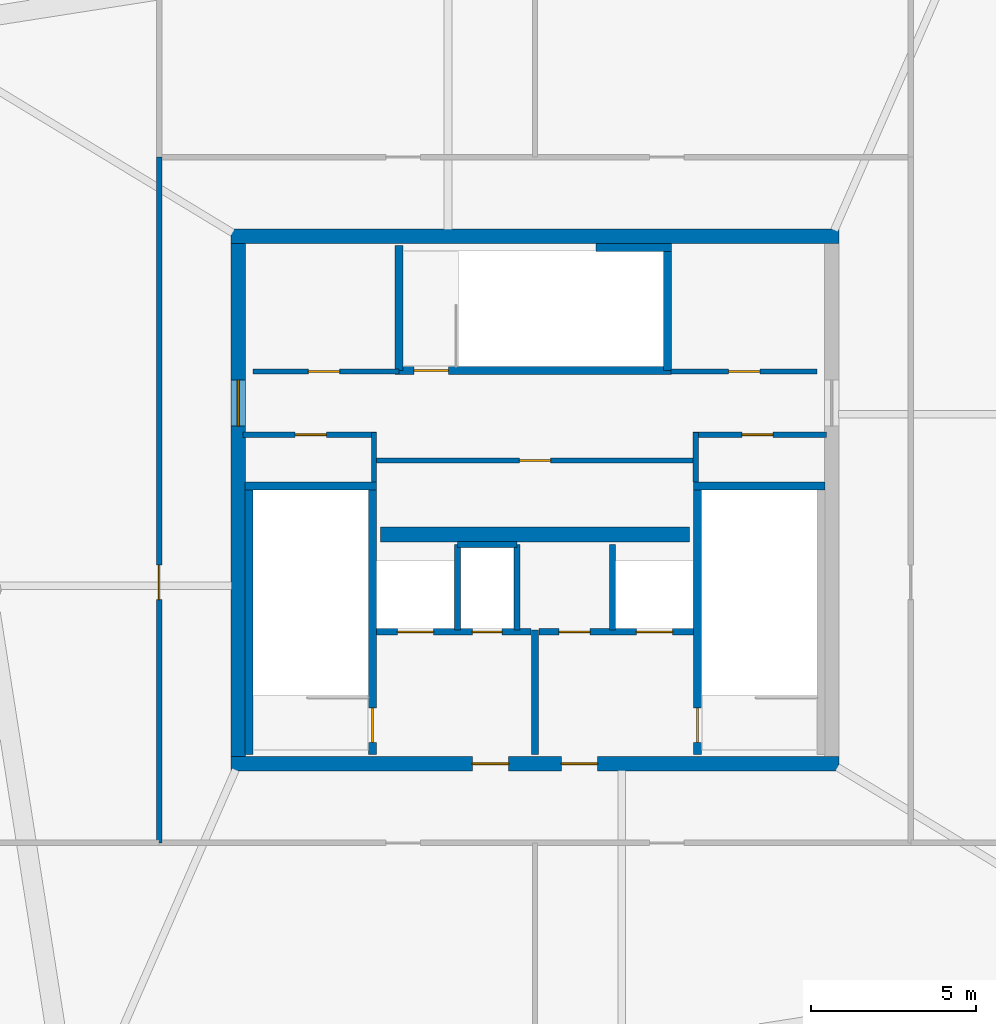
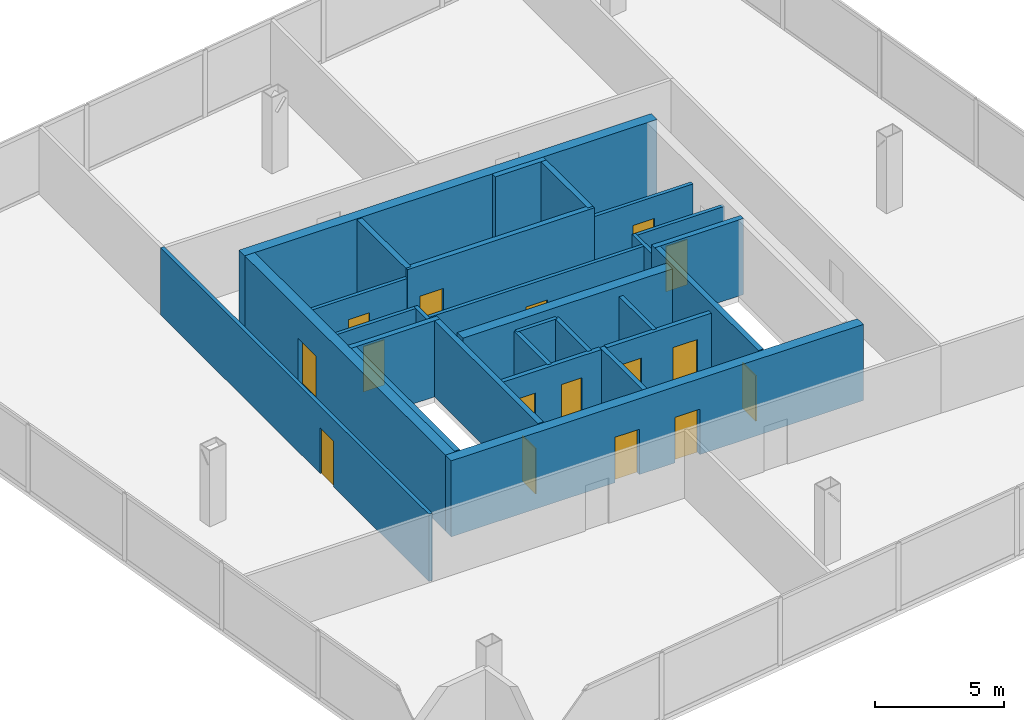
# One storey, part 15 of 17: 28 walls, 16 doors, 16 openings.
"""IFC4 building model written with IfcOpenShell, lengths in metres."""

from ifc_helpers import new_model, si_unit, direction, frame, frame_2d, origin, place, context, subcontext, project, spatial, rectangle, extrude, material, layer, layer_set, type_object, element, fill, save


model = new_model("IFC4")

# Units and contexts
model_context = context("Model", 3, precision=1e-05, world=origin(), true_north=direction((0.0, 1.0)))
body_context = subcontext(model_context, "Body", "Model", "MODEL_VIEW")
ifc_project = project(units=[si_unit("LENGTHUNIT", "METRE"), si_unit("AREAUNIT", "SQUARE_METRE"), si_unit("VOLUMEUNIT", "CUBIC_METRE"), si_unit("PLANEANGLEUNIT", "RADIAN"), si_unit("MASSUNIT", "GRAM", prefix="KILO")], contexts=[model_context])

# Site, building, storey
site_placement = place(None, origin())
site = spatial("IfcSite", under=ifc_project, at=site_placement, CompositionType="ELEMENT")
building_placement = place(site_placement, origin())
building = spatial("IfcBuilding", under=site, at=building_placement, Name="Haldenkirk Collegiate Tower", CompositionType="ELEMENT")
storey_placement = place(building_placement, frame((0.0, 0.0, 371.39990234375)))
storey = spatial("IfcBuildingStorey", under=building, at=storey_placement, Name="L94", CompositionType="ELEMENT", Elevation=371.39990234375)

# Wall, openings, doors
ifc_material_1 = material(Name="Concrete f'c 55 MPa", Category="concrete")
ifc_layer_1 = layer(ifc_material_1, 0.449951171875)
ifc_layer_set_1 = layer_set([ifc_layer_1], Name="Concrete f'c 55 MPa")
wall_type_1 = type_object("IfcWallType", Name="WL-CORE-450", PredefinedType="SHEAR", material=ifc_layer_set_1)
wall_1_placement = place(storey_placement, frame((26.77490234375, 18.0, 0.0), z_axis=(0.0, 0.0, 1.0), x_axis=(1.0, 0.0, 0.0)))
wall_1 = element("IfcWall", 1, at=wall_1_placement, inside=storey, type_object=wall_type_1, Name="L94 central core shear wall S", PredefinedType="SHEAR", context=body_context, shape_type="SweptSolid", body=[
    extrude(rectangle(XDim=18.4501953125, YDim=0.449951171875, at=frame_2d((9.22509765625, 0.0))), origin(), (0.0, 0.0, 1.0), 3.60009765625),
])
opening_1_placement = place(wall_1_placement, frame((7.324951171875, 0.0, 0.0)))
opening_1 = element("IfcOpeningElement", 2, at=opening_1_placement, cuts=wall_1, Name="Opening D-02", PredefinedType="OPENING", context=body_context, shape_type="SweptSolid", body=[
    extrude(rectangle(XDim=1.10009765625, YDim=2.14990234375, at=frame_2d((0.550048828125, 1.074951171875))), frame((0.0, 0.23486328125, 0.0), z_axis=(0.0, -1.0, 0.0), x_axis=(1.0, 0.0, 0.0)), (0.0, 0.0, 1.0), 0.469970703125),
])
opening_2_placement = place(wall_1_placement, frame((10.02490234375, 0.0, 0.0)))
opening_2 = element("IfcOpeningElement", 3, at=opening_2_placement, cuts=wall_1, Name="Opening D-02", PredefinedType="OPENING", context=body_context, shape_type="SweptSolid", body=[
    extrude(rectangle(XDim=1.10009765625, YDim=2.14990234375, at=frame_2d((0.550048828125, 1.074951171875))), frame((0.0, 0.23486328125, 0.0), z_axis=(0.0, -1.0, 0.0), x_axis=(1.0, 0.0, 0.0)), (0.0, 0.0, 1.0), 0.469970703125),
])
ifc_material_2 = material(Name="Galvanized fire-rated hollow steel door", Category="steel")
ifc_layer_2 = layer(ifc_material_2, 0.06005859375)
ifc_layer_set_2 = layer_set([ifc_layer_2], Name="Galvanized fire-rated hollow steel door")
door_type_1 = type_object("IfcDoorType", Name="DR-STAIR-FD90-1100", OperationType="NOTDEFINED", PredefinedType="DOOR", material=ifc_layer_set_2)
door_1_placement = place(opening_1_placement, origin())
door_1 = element("IfcDoor", 4, at=door_1_placement, inside=storey, type_object=door_type_1, Name="L94 Firefighting Lobby 1 door", OperationType="SINGLE_SWING_LEFT", OverallHeight=2.14990234375, OverallWidth=1.10009765625, PredefinedType="DOOR", context=body_context, shape_type="SweptSolid", body=[
    extrude(rectangle(XDim=1.10009765625, YDim=2.14990234375, at=frame_2d((0.550048828125, 1.074951171875))), frame((0.0, 0.02490234375, 0.0), z_axis=(0.0, -1.0, 0.0), x_axis=(1.0, 0.0, 0.0)), (0.0, 0.0, 1.0), 0.050048828125),
])
fill(opening_1, door_1)
door_2_placement = place(opening_2_placement, origin())
door_2 = element("IfcDoor", 5, at=door_2_placement, inside=storey, type_object=door_type_1, Name="L94 Firefighting Lobby 2 door", OperationType="SINGLE_SWING_RIGHT", OverallHeight=2.14990234375, OverallWidth=1.10009765625, PredefinedType="DOOR", context=body_context, shape_type="SweptSolid", body=[
    extrude(rectangle(XDim=1.10009765625, YDim=2.14990234375, at=frame_2d((0.550048828125, 1.074951171875))), frame((0.0, 0.02490234375, 0.0), z_axis=(0.0, -1.0, 0.0), x_axis=(1.0, 0.0, 0.0)), (0.0, 0.0, 1.0), 0.050048828125),
])
fill(opening_2, door_2)

# Wall
wall_2_placement = place(storey_placement, frame((26.77490234375, 34.0, 0.0), z_axis=(0.0, 0.0, 1.0), x_axis=(1.0, 0.0, 0.0)))
element("IfcWall", 6, at=wall_2_placement, inside=storey, type_object=wall_type_1, Name="L94 central core shear wall N", PredefinedType="SHEAR", context=body_context, shape_type="SweptSolid", body=[
    extrude(rectangle(XDim=18.4501953125, YDim=0.449951171875, at=frame_2d((9.22509765625, 0.0))), origin(), (0.0, 0.0, 1.0), 3.60009765625),
])

# Wall, opening, door
wall_3_placement = place(storey_placement, frame((27.0, 18.22509765625, 0.0), z_axis=(0.0, 0.0, 1.0), x_axis=(0.0, 1.0, 0.0)))
wall_3 = element("IfcWall", 7, at=wall_3_placement, inside=storey, type_object=wall_type_1, Name="L94 central core shear wall W", PredefinedType="SHEAR", context=body_context, shape_type="SweptSolid", body=[
    extrude(rectangle(XDim=15.5498046875, YDim=0.449951171875, at=frame_2d((7.77490234375, 0.0))), origin(), (0.0, 0.0, 1.0), 3.60009765625),
])
opening_3_placement = place(wall_3_placement, frame((10.014892578125, 0.0, 0.0)))
opening_3 = element("IfcOpeningElement", 8, at=opening_3_placement, cuts=wall_3, Name="Opening D-03", PredefinedType="OPENING", context=body_context, shape_type="SweptSolid", body=[
    extrude(rectangle(XDim=1.39990234375, YDim=2.199951171875, at=frame_2d((0.699951171875, 1.10009765625))), frame((0.0, 0.23486328125, 0.0), z_axis=(0.0, -1.0, 0.0), x_axis=(1.0, 0.0, 0.0)), (0.0, 0.0, 1.0), 0.469970703125),
])
ifc_layer_3 = layer(ifc_material_2, 0.06005859375)
ifc_layer_set_3 = layer_set([ifc_layer_3], Name="Galvanized fire-rated hollow steel door")
door_type_2 = type_object("IfcDoorType", Name="DR-LOBBY-FD90-1400", OperationType="NOTDEFINED", PredefinedType="DOOR", material=ifc_layer_set_3)
door_3_placement = place(opening_3_placement, origin())
door_3 = element("IfcDoor", 9, at=door_3_placement, inside=storey, type_object=door_type_2, Name="L94 west lift lobby portal", OperationType="DOUBLE_DOOR_SINGLE_SWING", OverallHeight=2.199951171875, OverallWidth=1.39990234375, PredefinedType="DOOR", context=body_context, shape_type="SweptSolid", body=[
    extrude(rectangle(XDim=1.39990234375, YDim=2.199951171875, at=frame_2d((0.699951171875, 1.10009765625))), frame((0.0, 0.02490234375, 0.0), z_axis=(0.0, -1.0, 0.0), x_axis=(1.0, 0.0, 0.0)), (0.0, 0.0, 1.0), 0.050048828125),
])
fill(opening_3, door_3)

# Wall
wall_4_placement = place(storey_placement, frame((31.31005859375, 24.949951171875, 0.0), z_axis=(0.0, 0.0, 1.0), x_axis=(1.0, 0.0, 0.0)))
element("IfcWall", 10, at=wall_4_placement, inside=storey, type_object=wall_type_1, Name="L94 central core spine shear wall", PredefinedType="SHEAR", context=body_context, shape_type="SweptSolid", body=[
    extrude(rectangle(XDim=9.3798828125, YDim=0.449951171875, at=frame_2d((4.68994140625, 0.0))), origin(), (0.0, 0.0, 1.0), 3.60009765625),
])

# Wall, opening, door
ifc_material_3 = material(Name="Acoustic fire-rated gypsum partition", Category="concrete")
ifc_layer_4 = layer(ifc_material_3, 0.159912109375)
ifc_layer_set_4 = layer_set([ifc_layer_4], Name="Acoustic fire-rated gypsum partition")
wall_type_2 = type_object("IfcWallType", Name="WL-INT-CORR-160", PredefinedType="PARTITIONING", material=ifc_layer_set_4)
wall_5_placement = place(storey_placement, frame((27.14990234375, 27.97998046875, 0.0), z_axis=(0.0, 0.0, 1.0), x_axis=(1.0, 0.0, 0.0)))
wall_5 = element("IfcWall", 11, at=wall_5_placement, inside=storey, type_object=wall_type_2, Name="L94 interior partition IW-L94-VCSW-N", PredefinedType="PARTITIONING", context=body_context, shape_type="SweptSolid", body=[
    extrude(rectangle(XDim=4.050048828125, YDim=0.159912109375, at=frame_2d((2.02490234375, 0.0))), origin(), (0.0, 0.0, 1.0), 3.18017578125),
])
opening_4_placement = place(wall_5_placement, frame((1.574951171875, 0.0, 0.0)))
opening_4 = element("IfcOpeningElement", 12, at=opening_4_placement, cuts=wall_5, Name="Opening D-10", PredefinedType="OPENING", context=body_context, shape_type="SweptSolid", body=[
    extrude(rectangle(XDim=0.949951171875, YDim=2.14990234375, at=frame_2d((0.47509765625, 1.074951171875))), frame((0.0, 0.08984375, 0.0), z_axis=(0.0, -1.0, 0.0), x_axis=(1.0, 0.0, 0.0)), (0.0, 0.0, 1.0), 0.179931640625),
])
ifc_material_4 = material(Name="Solid-core architectural oak fire door", Category="wood")
ifc_layer_5 = layer(ifc_material_4, 0.06005859375)
ifc_layer_set_5 = layer_set([ifc_layer_5], Name="Solid-core architectural oak fire door")
door_type_3 = type_object("IfcDoorType", Name="DR-INT-FD60-950", OperationType="NOTDEFINED", PredefinedType="DOOR", material=ifc_layer_set_5)
door_4_placement = place(opening_4_placement, origin())
door_4 = element("IfcDoor", 13, at=door_4_placement, inside=storey, type_object=door_type_3, Name="L94 core electrical door", OperationType="SINGLE_SWING_LEFT", OverallHeight=2.14990234375, OverallWidth=0.949951171875, PredefinedType="DOOR", context=body_context, shape_type="SweptSolid", body=[
    extrude(rectangle(XDim=0.949951171875, YDim=2.14990234375, at=frame_2d((0.47509765625, 1.074951171875))), frame((0.0, 0.02490234375, 0.0), z_axis=(0.0, -1.0, 0.0), x_axis=(1.0, 0.0, 0.0)), (0.0, 0.0, 1.0), 0.050048828125),
])
fill(opening_4, door_4)

# Wall
wall_6_placement = place(storey_placement, frame((31.1201171875, 26.5400390625, 0.0), z_axis=(0.0, 0.0, 1.0), x_axis=(0.0, 1.0, 0.0)))
element("IfcWall", 14, at=wall_6_placement, inside=storey, type_object=wall_type_2, Name="L94 interior partition IW-L94-VCSW-E", PredefinedType="PARTITIONING", context=body_context, shape_type="SweptSolid", body=[
    extrude(rectangle(XDim=1.510009765625, YDim=0.159912109375, at=frame_2d((0.7548828125, 0.0))), origin(), (0.0, 0.0, 1.0), 3.18017578125),
])

# Wall, opening, door
wall_7_placement = place(storey_placement, frame((40.800048828125, 27.97998046875, 0.0), z_axis=(0.0, 0.0, 1.0), x_axis=(1.0, 0.0, 0.0)))
wall_7 = element("IfcWall", 15, at=wall_7_placement, inside=storey, type_object=wall_type_2, Name="L94 interior partition IW-L94-VCSE-N", PredefinedType="PARTITIONING", context=body_context, shape_type="SweptSolid", body=[
    extrude(rectangle(XDim=4.050048828125, YDim=0.159912109375, at=frame_2d((2.02490234375, 0.0))), origin(), (0.0, 0.0, 1.0), 3.18017578125),
])
opening_5_placement = place(wall_7_placement, frame((1.47509765625, 0.0, 0.0)))
opening_5 = element("IfcOpeningElement", 16, at=opening_5_placement, cuts=wall_7, Name="Opening D-10", PredefinedType="OPENING", context=body_context, shape_type="SweptSolid", body=[
    extrude(rectangle(XDim=0.949951171875, YDim=2.14990234375, at=frame_2d((0.47509765625, 1.074951171875))), frame((0.0, 0.08984375, 0.0), z_axis=(0.0, -1.0, 0.0), x_axis=(1.0, 0.0, 0.0)), (0.0, 0.0, 1.0), 0.179931640625),
])
door_5_placement = place(opening_5_placement, origin())
door_5 = element("IfcDoor", 17, at=door_5_placement, inside=storey, type_object=door_type_3, Name="L94 core mechanical store door", OperationType="SINGLE_SWING_RIGHT", OverallHeight=2.14990234375, OverallWidth=0.949951171875, PredefinedType="DOOR", context=body_context, shape_type="SweptSolid", body=[
    extrude(rectangle(XDim=0.949951171875, YDim=2.14990234375, at=frame_2d((0.47509765625, 1.074951171875))), frame((0.0, 0.02490234375, 0.0), z_axis=(0.0, -1.0, 0.0), x_axis=(1.0, 0.0, 0.0)), (0.0, 0.0, 1.0), 0.050048828125),
])
fill(opening_5, door_5)

# Wall
wall_8_placement = place(storey_placement, frame((40.8798828125, 26.5400390625, 0.0), z_axis=(0.0, 0.0, 1.0), x_axis=(0.0, 1.0, 0.0)))
element("IfcWall", 18, at=wall_8_placement, inside=storey, type_object=wall_type_2, Name="L94 interior partition IW-L94-VCSE-W", PredefinedType="PARTITIONING", context=body_context, shape_type="SweptSolid", body=[
    extrude(rectangle(XDim=1.510009765625, YDim=0.159912109375, at=frame_2d((0.7548828125, 0.0))), origin(), (0.0, 0.0, 1.0), 3.18017578125),
])

# Wall, opening, door
wall_9_placement = place(storey_placement, frame((27.449951171875, 29.89990234375, 0.0), z_axis=(0.0, 0.0, 1.0), x_axis=(1.0, 0.0, 0.0)))
wall_9 = element("IfcWall", 19, at=wall_9_placement, inside=storey, type_object=wall_type_2, Name="L94 interior partition IW-L94-PLS", PredefinedType="PARTITIONING", context=body_context, shape_type="SweptSolid", body=[
    extrude(rectangle(XDim=4.429931640625, YDim=0.159912109375, at=frame_2d((2.21484375, 0.0))), origin(), (0.0, 0.0, 1.0), 3.18017578125),
])
opening_6_placement = place(wall_9_placement, frame((1.675048828125, 0.0, 0.0)))
opening_6 = element("IfcOpeningElement", 20, at=opening_6_placement, cuts=wall_9, Name="Opening D-10", PredefinedType="OPENING", context=body_context, shape_type="SweptSolid", body=[
    extrude(rectangle(XDim=0.949951171875, YDim=2.14990234375, at=frame_2d((0.47509765625, 1.074951171875))), frame((0.0, 0.08984375, 0.0), z_axis=(0.0, -1.0, 0.0), x_axis=(1.0, 0.0, 0.0)), (0.0, 0.0, 1.0), 0.179931640625),
])
door_6_placement = place(opening_6_placement, origin())
door_6 = element("IfcDoor", 21, at=door_6_placement, inside=storey, type_object=door_type_3, Name="L94 reclaimed plant store door", OperationType="SINGLE_SWING_LEFT", OverallHeight=2.14990234375, OverallWidth=0.949951171875, PredefinedType="DOOR", context=body_context, shape_type="SweptSolid", body=[
    extrude(rectangle(XDim=0.949951171875, YDim=2.14990234375, at=frame_2d((0.47509765625, 1.074951171875))), frame((0.0, 0.02490234375, 0.0), z_axis=(0.0, -1.0, 0.0), x_axis=(1.0, 0.0, 0.0)), (0.0, 0.0, 1.0), 0.050048828125),
])
fill(opening_6, door_6)

wall_10_placement = place(storey_placement, frame((40.1201171875, 29.89990234375, 0.0), z_axis=(0.0, 0.0, 1.0), x_axis=(1.0, 0.0, 0.0)))
wall_10 = element("IfcWall", 22, at=wall_10_placement, inside=storey, type_object=wall_type_2, Name="L94 interior partition IW-L94-PMS", PredefinedType="PARTITIONING", context=body_context, shape_type="SweptSolid", body=[
    extrude(rectangle(XDim=4.429931640625, YDim=0.159912109375, at=frame_2d((2.21484375, 0.0))), origin(), (0.0, 0.0, 1.0), 3.18017578125),
])
opening_7_placement = place(wall_10_placement, frame((1.7548828125, 0.0, 0.0)))
opening_7 = element("IfcOpeningElement", 23, at=opening_7_placement, cuts=wall_10, Name="Opening D-10", PredefinedType="OPENING", context=body_context, shape_type="SweptSolid", body=[
    extrude(rectangle(XDim=0.949951171875, YDim=2.14990234375, at=frame_2d((0.47509765625, 1.074951171875))), frame((0.0, 0.08984375, 0.0), z_axis=(0.0, -1.0, 0.0), x_axis=(1.0, 0.0, 0.0)), (0.0, 0.0, 1.0), 0.179931640625),
])
door_7_placement = place(opening_7_placement, origin())
door_7 = element("IfcDoor", 24, at=door_7_placement, inside=storey, type_object=door_type_3, Name="L94 east plant store door", OperationType="SINGLE_SWING_RIGHT", OverallHeight=2.14990234375, OverallWidth=0.949951171875, PredefinedType="DOOR", context=body_context, shape_type="SweptSolid", body=[
    extrude(rectangle(XDim=0.949951171875, YDim=2.14990234375, at=frame_2d((0.47509765625, 1.074951171875))), frame((0.0, 0.02490234375, 0.0), z_axis=(0.0, -1.0, 0.0), x_axis=(1.0, 0.0, 0.0)), (0.0, 0.0, 1.0), 0.050048828125),
])
fill(opening_7, door_7)

wall_11_placement = place(storey_placement, frame((31.199951171875, 27.199951171875, 0.0), z_axis=(0.0, 0.0, 1.0), x_axis=(1.0, 0.0, 0.0)))
wall_11 = element("IfcWall", 25, at=wall_11_placement, inside=storey, type_object=wall_type_2, Name="L94 interior partition IW-L94-PHN", PredefinedType="PARTITIONING", context=body_context, shape_type="SweptSolid", body=[
    extrude(rectangle(XDim=9.60009765625, YDim=0.159912109375, at=frame_2d((4.800048828125, 0.0))), origin(), (0.0, 0.0, 1.0), 3.18017578125),
])
opening_8_placement = place(wall_11_placement, frame((4.324951171875, 0.0, 0.0)))
opening_8 = element("IfcOpeningElement", 26, at=opening_8_placement, cuts=wall_11, Name="Opening D-10", PredefinedType="OPENING", context=body_context, shape_type="SweptSolid", body=[
    extrude(rectangle(XDim=0.949951171875, YDim=2.14990234375, at=frame_2d((0.47509765625, 1.074951171875))), frame((0.0, 0.08984375, 0.0), z_axis=(0.0, -1.0, 0.0), x_axis=(1.0, 0.0, 0.0)), (0.0, 0.0, 1.0), 0.179931640625),
])
door_8_placement = place(opening_8_placement, origin())
door_8 = element("IfcDoor", 27, at=door_8_placement, inside=storey, type_object=door_type_3, Name="L94 crown telemetry door", OperationType="SINGLE_SWING_LEFT", OverallHeight=2.14990234375, OverallWidth=0.949951171875, PredefinedType="DOOR", context=body_context, shape_type="SweptSolid", body=[
    extrude(rectangle(XDim=0.949951171875, YDim=2.14990234375, at=frame_2d((0.47509765625, 1.074951171875))), frame((0.0, 0.02490234375, 0.0), z_axis=(0.0, -1.0, 0.0), x_axis=(1.0, 0.0, 0.0)), (0.0, 0.0, 1.0), 0.050048828125),
])
fill(opening_8, door_8)

wall_12_placement = place(storey_placement, frame((24.60009765625, 15.60009765625, 0.0), z_axis=(0.0, 0.0, 1.0), x_axis=(0.0, 1.0, 0.0)))
wall_12 = element("IfcWall", 28, at=wall_12_placement, inside=storey, type_object=wall_type_2, Name="L94 interior partition IW-L94-CW", PredefinedType="PARTITIONING", context=body_context, shape_type="SweptSolid", body=[
    extrude(rectangle(XDim=20.7998046875, YDim=0.159912109375, at=frame_2d((10.39990234375, 0.0))), origin(), (0.0, 0.0, 1.0), 3.18017578125),
])
opening_9_placement = place(wall_12_placement, frame((7.375, 0.0, 0.0)))
opening_9 = element("IfcOpeningElement", 29, at=opening_9_placement, cuts=wall_12, Name="Opening D-09", PredefinedType="OPENING", context=body_context, shape_type="SweptSolid", body=[
    extrude(rectangle(XDim=1.050048828125, YDim=2.14990234375, at=frame_2d((0.52490234375, 1.074951171875))), frame((0.0, 0.08984375, 0.0), z_axis=(0.0, -1.0, 0.0), x_axis=(1.0, 0.0, 0.0)), (0.0, 0.0, 1.0), 0.179931640625),
])
ifc_layer_6 = layer(ifc_material_4, 0.06005859375)
ifc_layer_set_6 = layer_set([ifc_layer_6], Name="Solid-core architectural oak fire door")
door_type_4 = type_object("IfcDoorType", Name="DR-INT-FD60-1050", OperationType="NOTDEFINED", PredefinedType="DOOR", material=ifc_layer_set_6)
door_9_placement = place(opening_9_placement, origin())
door_9 = element("IfcDoor", 30, at=door_9_placement, inside=storey, type_object=door_type_4, Name="L94 crown W plant door", OperationType="SINGLE_SWING_RIGHT", OverallHeight=2.14990234375, OverallWidth=1.050048828125, PredefinedType="DOOR", context=body_context, shape_type="SweptSolid", body=[
    extrude(rectangle(XDim=1.050048828125, YDim=2.14990234375, at=frame_2d((0.52490234375, 1.074951171875))), frame((0.0, 0.02490234375, 0.0), z_axis=(0.0, -1.0, 0.0), x_axis=(1.0, 0.0, 0.0)), (0.0, 0.0, 1.0), 0.050048828125),
])
fill(opening_9, door_9)

# Walls
ifc_material_5 = material(Name="Fire-rated gypsum shaftboard assembly", Category="concrete")
ifc_layer_7 = layer(ifc_material_5, 0.179931640625)
ifc_layer_set_7 = layer_set([ifc_layer_7], Name="Fire-rated gypsum shaftboard assembly")
wall_type_3 = type_object("IfcWallType", Name="WL-INT-SHAFT-180", PredefinedType="PARTITIONING", material=ifc_layer_set_7)
for number, where, z_axis, x_axis, name in (
    (31, (33.64990234375, 22.050048828125, 0.0), (0.0, 0.0, 1.0), (0.0, 1.0, 0.0), "L94 interior partition IW-L94-FL1E"),
    (32, (35.449951171875, 22.050048828125, 0.0), (0.0, 0.0, 1.0), (0.0, 1.0, 0.0), "L94 interior partition IW-L94-GL1W"),
):
    element("IfcWall", number, at=place(storey_placement, frame(where, z_axis=z_axis, x_axis=x_axis)), inside=storey, type_object=wall_type_3, Name=name, PredefinedType="PARTITIONING", context=body_context, shape_type="SweptSolid", body=[
        extrude(rectangle(XDim=2.599853515625, YDim=0.179931640625, at=frame_2d((1.2998046875, 0.0))), origin(), (0.0, 0.0, 1.0), 3.18017578125),
    ])
wall_13_placement = place(storey_placement, frame((33.64990234375, 24.64990234375, 0.0), z_axis=(0.0, 0.0, 1.0), x_axis=(1.0, 0.0, 0.0)))
element("IfcWall", 33, at=wall_13_placement, inside=storey, type_object=wall_type_3, Name="L94 interior partition IW-L94-RSRN", PredefinedType="PARTITIONING", context=body_context, shape_type="SweptSolid", body=[
    extrude(rectangle(XDim=1.800048828125, YDim=0.179931640625, at=frame_2d((0.89990234375, 0.0))), origin(), (0.0, 0.0, 1.0), 3.18017578125),
])
wall_14_placement = place(storey_placement, frame((38.35009765625, 22.050048828125, 0.0), z_axis=(0.0, 0.0, 1.0), x_axis=(0.0, 1.0, 0.0)))
element("IfcWall", 34, at=wall_14_placement, inside=storey, type_object=wall_type_3, Name="L94 interior partition IW-L94-GL1E", PredefinedType="PARTITIONING", context=body_context, shape_type="SweptSolid", body=[
    extrude(rectangle(XDim=2.599853515625, YDim=0.179931640625, at=frame_2d((1.2998046875, 0.0))), origin(), (0.0, 0.0, 1.0), 3.18017578125),
])
ifc_layer_8 = layer(ifc_material_5, 0.199951171875)
ifc_layer_set_8 = layer_set([ifc_layer_8], Name="Fire-rated gypsum shaftboard assembly")
wall_type_4 = type_object("IfcWallType", Name="WL-INT-SHAFT-200", PredefinedType="PARTITIONING", material=ifc_layer_set_8)
wall_15_placement = place(storey_placement, frame((36.0, 18.280029296875, 0.0), z_axis=(0.0, 0.0, 1.0), x_axis=(0.0, 1.0, 0.0)))
element("IfcWall", 35, at=wall_15_placement, inside=storey, type_object=wall_type_4, Name="L94 interior partition IW-L94-FFLM", PredefinedType="PARTITIONING", context=body_context, shape_type="SweptSolid", body=[
    extrude(rectangle(XDim=3.77001953125, YDim=0.199951171875, at=frame_2d((1.885009765625, 0.0))), origin(), (0.0, 0.0, 1.0), 3.18017578125),
])

# Wall, openings, doors
wall_16_placement = place(storey_placement, frame((31.18994140625, 22.0, 0.0), z_axis=(0.0, 0.0, 1.0), x_axis=(1.0, 0.0, 0.0)))
wall_16 = element("IfcWall", 36, at=wall_16_placement, inside=storey, type_object=wall_type_4, Name="L94 interior partition IW-L94-FFL1N", PredefinedType="PARTITIONING", context=body_context, shape_type="SweptSolid", body=[
    extrude(rectangle(XDim=4.68994140625, YDim=0.199951171875, at=frame_2d((2.344970703125, 0.0))), origin(), (0.0, 0.0, 1.0), 3.18017578125),
])
opening_10_placement = place(wall_16_placement, frame((2.909912109375, 0.0, 0.0)))
opening_10 = element("IfcOpeningElement", 37, at=opening_10_placement, cuts=wall_16, Name="Opening D-06", PredefinedType="OPENING", context=body_context, shape_type="SweptSolid", body=[
    extrude(rectangle(XDim=0.89990234375, YDim=2.14990234375, at=frame_2d((0.449951171875, 1.074951171875))), frame((0.0, 0.10986328125, 0.0), z_axis=(0.0, -1.0, 0.0), x_axis=(1.0, 0.0, 0.0)), (0.0, 0.0, 1.0), 0.219970703125),
])
opening_11_placement = place(wall_16_placement, frame((0.635009765625, 0.0, 0.0)))
opening_11 = element("IfcOpeningElement", 38, at=opening_11_placement, cuts=wall_16, Name="Opening LD-12", PredefinedType="OPENING", context=body_context, shape_type="SweptSolid", body=[
    extrude(rectangle(XDim=1.10009765625, YDim=2.14990234375, at=frame_2d((0.550048828125, 1.074951171875))), frame((0.0, 0.10986328125, 0.0), z_axis=(0.0, -1.0, 0.0), x_axis=(1.0, 0.0, 0.0)), (0.0, 0.0, 1.0), 0.219970703125),
])
ifc_layer_9 = layer(ifc_material_2, 0.06005859375)
ifc_layer_set_9 = layer_set([ifc_layer_9], Name="Galvanized fire-rated hollow steel door")
door_type_5 = type_object("IfcDoorType", Name="DR-INT-FD90-900", OperationType="NOTDEFINED", PredefinedType="DOOR", material=ifc_layer_set_9)
door_10_placement = place(opening_10_placement, origin())
door_10 = element("IfcDoor", 39, at=door_10_placement, inside=storey, type_object=door_type_5, Name="L94 electrical riser door", OperationType="SINGLE_SWING_LEFT", OverallHeight=2.14990234375, OverallWidth=0.89990234375, PredefinedType="DOOR", context=body_context, shape_type="SweptSolid", body=[
    extrude(rectangle(XDim=0.89990234375, YDim=2.14990234375, at=frame_2d((0.449951171875, 1.074951171875))), frame((0.0, 0.02490234375, 0.0), z_axis=(0.0, -1.0, 0.0), x_axis=(1.0, 0.0, 0.0)), (0.0, 0.0, 1.0), 0.050048828125),
])
fill(opening_10, door_10)
ifc_material_6 = material(Name="Brushed architectural stainless steel", Category="steel")
ifc_layer_10 = layer(ifc_material_6, 0.06005859375)
ifc_layer_set_10 = layer_set([ifc_layer_10], Name="Brushed architectural stainless steel")
door_type_6 = type_object("IfcDoorType", Name="LD-FIRE-1100", OperationType="NOTDEFINED", PredefinedType="DOOR", material=ifc_layer_set_10)
door_11_placement = place(opening_11_placement, origin())
door_11 = element("IfcDoor", 40, at=door_11_placement, inside=storey, type_object=door_type_6, Name="L94 Elevator FL1 sliding landing door", OperationType="SLIDING_TO_LEFT", OverallHeight=2.14990234375, OverallWidth=1.10009765625, PredefinedType="DOOR", context=body_context, shape_type="SweptSolid", body=[
    extrude(rectangle(XDim=1.10009765625, YDim=2.14990234375, at=frame_2d((0.550048828125, 1.074951171875))), frame((0.0, 0.02490234375, 0.0), z_axis=(0.0, -1.0, 0.0), x_axis=(1.0, 0.0, 0.0)), (0.0, 0.0, 1.0), 0.050048828125),
])
fill(opening_11, door_11)

wall_17_placement = place(storey_placement, frame((36.1201171875, 22.0, 0.0), z_axis=(0.0, 0.0, 1.0), x_axis=(1.0, 0.0, 0.0)))
wall_17 = element("IfcWall", 41, at=wall_17_placement, inside=storey, type_object=wall_type_4, Name="L94 interior partition IW-L94-FFL2N", PredefinedType="PARTITIONING", context=body_context, shape_type="SweptSolid", body=[
    extrude(rectangle(XDim=4.68994140625, YDim=0.199951171875, at=frame_2d((2.344970703125, 0.0))), origin(), (0.0, 0.0, 1.0), 3.18017578125),
])
opening_12_placement = place(wall_17_placement, frame((0.60498046875, 0.0, 0.0)))
opening_12 = element("IfcOpeningElement", 42, at=opening_12_placement, cuts=wall_17, Name="Opening D-05", PredefinedType="OPENING", context=body_context, shape_type="SweptSolid", body=[
    extrude(rectangle(XDim=0.949951171875, YDim=2.14990234375, at=frame_2d((0.47509765625, 1.074951171875))), frame((0.0, 0.10986328125, 0.0), z_axis=(0.0, -1.0, 0.0), x_axis=(1.0, 0.0, 0.0)), (0.0, 0.0, 1.0), 0.219970703125),
])
opening_13_placement = place(wall_17_placement, frame((2.955078125, 0.0, 0.0)))
opening_13 = element("IfcOpeningElement", 43, at=opening_13_placement, cuts=wall_17, Name="Opening LD-12", PredefinedType="OPENING", context=body_context, shape_type="SweptSolid", body=[
    extrude(rectangle(XDim=1.10009765625, YDim=2.14990234375, at=frame_2d((0.550048828125, 1.074951171875))), frame((0.0, 0.10986328125, 0.0), z_axis=(0.0, -1.0, 0.0), x_axis=(1.0, 0.0, 0.0)), (0.0, 0.0, 1.0), 0.219970703125),
])
ifc_layer_11 = layer(ifc_material_2, 0.06005859375)
ifc_layer_set_11 = layer_set([ifc_layer_11], Name="Galvanized fire-rated hollow steel door")
door_type_7 = type_object("IfcDoorType", Name="DR-INT-FD90-950", OperationType="NOTDEFINED", PredefinedType="DOOR", material=ifc_layer_set_11)
door_12_placement = place(opening_12_placement, origin())
door_12 = element("IfcDoor", 44, at=door_12_placement, inside=storey, type_object=door_type_7, Name="L94 Crown Controls Plant Room door", OperationType="SINGLE_SWING_RIGHT", OverallHeight=2.14990234375, OverallWidth=0.949951171875, PredefinedType="DOOR", context=body_context, shape_type="SweptSolid", body=[
    extrude(rectangle(XDim=0.949951171875, YDim=2.14990234375, at=frame_2d((0.47509765625, 1.074951171875))), frame((0.0, 0.02490234375, 0.0), z_axis=(0.0, -1.0, 0.0), x_axis=(1.0, 0.0, 0.0)), (0.0, 0.0, 1.0), 0.050048828125),
])
fill(opening_12, door_12)
door_13_placement = place(opening_13_placement, origin())
door_13 = element("IfcDoor", 45, at=door_13_placement, inside=storey, type_object=door_type_6, Name="L94 Elevator FL2 sliding landing door", OperationType="SLIDING_TO_LEFT", OverallHeight=2.14990234375, OverallWidth=1.10009765625, PredefinedType="DOOR", context=body_context, shape_type="SweptSolid", body=[
    extrude(rectangle(XDim=1.10009765625, YDim=2.14990234375, at=frame_2d((0.550048828125, 1.074951171875))), frame((0.0, 0.02490234375, 0.0), z_axis=(0.0, -1.0, 0.0), x_axis=(1.0, 0.0, 0.0)), (0.0, 0.0, 1.0), 0.050048828125),
])
fill(opening_13, door_13)

# Wall, opening, door
ifc_layer_12 = layer(ifc_material_1, 0.239990234375)
ifc_layer_set_12 = layer_set([ifc_layer_12], Name="Concrete f'c 55 MPa")
wall_type_5 = type_object("IfcWallType", Name="WL-SHAFT-240", PredefinedType="SHEAR", material=ifc_layer_set_12)
wall_18_placement = place(storey_placement, frame((31.070068359375, 18.280029296875, 0.0), z_axis=(0.0, 0.0, 1.0), x_axis=(0.0, 1.0, 0.0)))
wall_18 = element("IfcWall", 46, at=wall_18_placement, inside=storey, type_object=wall_type_5, Name="L94 stair shaft shear wall SW-L94-ST1E", PredefinedType="SHEAR", context=body_context, shape_type="SweptSolid", body=[
    extrude(rectangle(XDim=8.260009765625, YDim=0.239990234375, at=frame_2d((4.1298828125, 0.0))), origin(), (0.0, 0.0, 1.0), 3.60009765625),
])
opening_14_placement = place(wall_18_placement, frame((0.364990234375, 0.0, 0.0)))
opening_14 = element("IfcOpeningElement", 47, at=opening_14_placement, cuts=wall_18, Name="Opening D-01", PredefinedType="OPENING", context=body_context, shape_type="SweptSolid", body=[
    extrude(rectangle(XDim=1.050048828125, YDim=2.14990234375, at=frame_2d((0.52490234375, 1.074951171875))), frame((0.0, 0.1298828125, 0.0), z_axis=(0.0, -1.0, 0.0), x_axis=(1.0, 0.0, 0.0)), (0.0, 0.0, 1.0), 0.260009765625),
])
ifc_layer_13 = layer(ifc_material_2, 0.06005859375)
ifc_layer_set_13 = layer_set([ifc_layer_13], Name="Galvanized fire-rated hollow steel door")
door_type_8 = type_object("IfcDoorType", Name="DR-STAIR-FD90-1050", OperationType="NOTDEFINED", PredefinedType="DOOR", material=ifc_layer_set_13)
door_14_placement = place(opening_14_placement, origin())
door_14 = element("IfcDoor", 48, at=door_14_placement, inside=storey, type_object=door_type_8, Name="L94 Stair 1 door", OperationType="SINGLE_SWING_LEFT", OverallHeight=2.14990234375, OverallWidth=1.050048828125, PredefinedType="DOOR", context=body_context, shape_type="SweptSolid", body=[
    extrude(rectangle(XDim=1.050048828125, YDim=2.14990234375, at=frame_2d((0.52490234375, 1.074951171875))), frame((0.0, 0.02490234375, 0.0), z_axis=(0.0, -1.0, 0.0), x_axis=(1.0, 0.0, 0.0)), (0.0, 0.0, 1.0), 0.050048828125),
])
fill(opening_14, door_14)

# Walls
wall_19_placement = place(storey_placement, frame((27.2099609375, 26.419921875, 0.0), z_axis=(0.0, 0.0, 1.0), x_axis=(1.0, 0.0, 0.0)))
element("IfcWall", 49, at=wall_19_placement, inside=storey, type_object=wall_type_5, Name="L94 stair shaft shear wall SW-L94-ST1N", PredefinedType="SHEAR", context=body_context, shape_type="SweptSolid", body=[
    extrude(rectangle(XDim=3.97998046875, YDim=0.239990234375, at=frame_2d((1.989990234375, 0.0))), origin(), (0.0, 0.0, 1.0), 3.60009765625),
])
wall_20_placement = place(storey_placement, frame((27.330078125, 18.280029296875, 0.0), z_axis=(0.0, 0.0, 1.0), x_axis=(0.0, 1.0, 0.0)))
element("IfcWall", 50, at=wall_20_placement, inside=storey, type_object=wall_type_5, Name="L94 stair shaft shear wall SW-L94-ST1W", PredefinedType="SHEAR", context=body_context, shape_type="SweptSolid", body=[
    extrude(rectangle(XDim=8.260009765625, YDim=0.239990234375, at=frame_2d((4.1298828125, 0.0))), origin(), (0.0, 0.0, 1.0), 3.60009765625),
])

# Wall, opening, door
wall_21_placement = place(storey_placement, frame((40.929931640625, 18.280029296875, 0.0), z_axis=(0.0, 0.0, 1.0), x_axis=(0.0, 1.0, 0.0)))
wall_21 = element("IfcWall", 51, at=wall_21_placement, inside=storey, type_object=wall_type_5, Name="L94 stair shaft shear wall SW-L94-ST2W", PredefinedType="SHEAR", context=body_context, shape_type="SweptSolid", body=[
    extrude(rectangle(XDim=8.260009765625, YDim=0.239990234375, at=frame_2d((4.1298828125, 0.0))), origin(), (0.0, 0.0, 1.0), 3.60009765625),
])
opening_15_placement = place(wall_21_placement, frame((0.364990234375, 0.0, 0.0)))
opening_15 = element("IfcOpeningElement", 52, at=opening_15_placement, cuts=wall_21, Name="Opening D-01", PredefinedType="OPENING", context=body_context, shape_type="SweptSolid", body=[
    extrude(rectangle(XDim=1.050048828125, YDim=2.14990234375, at=frame_2d((0.52490234375, 1.074951171875))), frame((0.0, 0.1298828125, 0.0), z_axis=(0.0, -1.0, 0.0), x_axis=(1.0, 0.0, 0.0)), (0.0, 0.0, 1.0), 0.260009765625),
])
door_15_placement = place(opening_15_placement, origin())
door_15 = element("IfcDoor", 53, at=door_15_placement, inside=storey, type_object=door_type_8, Name="L94 Stair 2 door", OperationType="SINGLE_SWING_RIGHT", OverallHeight=2.14990234375, OverallWidth=1.050048828125, PredefinedType="DOOR", context=body_context, shape_type="SweptSolid", body=[
    extrude(rectangle(XDim=1.050048828125, YDim=2.14990234375, at=frame_2d((0.52490234375, 1.074951171875))), frame((0.0, 0.02490234375, 0.0), z_axis=(0.0, -1.0, 0.0), x_axis=(1.0, 0.0, 0.0)), (0.0, 0.0, 1.0), 0.050048828125),
])
fill(opening_15, door_15)

# Wall
wall_22_placement = place(storey_placement, frame((40.81005859375, 26.419921875, 0.0), z_axis=(0.0, 0.0, 1.0), x_axis=(1.0, 0.0, 0.0)))
element("IfcWall", 54, at=wall_22_placement, inside=storey, type_object=wall_type_5, Name="L94 stair shaft shear wall SW-L94-ST2N", PredefinedType="SHEAR", context=body_context, shape_type="SweptSolid", body=[
    extrude(rectangle(XDim=3.97998046875, YDim=0.239990234375, at=frame_2d((1.989990234375, 0.0))), origin(), (0.0, 0.0, 1.0), 3.60009765625),
])

# Wall, opening, door
wall_23_placement = place(storey_placement, frame((31.760009765625, 29.929931640625, 0.0), z_axis=(0.0, 0.0, 1.0), x_axis=(1.0, 0.0, 0.0)))
wall_23 = element("IfcWall", 55, at=wall_23_placement, inside=storey, type_object=wall_type_5, Name="L94 stair shaft shear wall SW-L94-ST3S", PredefinedType="SHEAR", context=body_context, shape_type="SweptSolid", body=[
    extrude(rectangle(XDim=8.3798828125, YDim=0.239990234375, at=frame_2d((4.18994140625, 0.0))), origin(), (0.0, 0.0, 1.0), 3.60009765625),
])
opening_16_placement = place(wall_23_placement, frame((0.56494140625, 0.0, 0.0)))
opening_16 = element("IfcOpeningElement", 56, at=opening_16_placement, cuts=wall_23, Name="Opening D-01", PredefinedType="OPENING", context=body_context, shape_type="SweptSolid", body=[
    extrude(rectangle(XDim=1.050048828125, YDim=2.14990234375, at=frame_2d((0.52490234375, 1.074951171875))), frame((0.0, 0.1298828125, 0.0), z_axis=(0.0, -1.0, 0.0), x_axis=(1.0, 0.0, 0.0)), (0.0, 0.0, 1.0), 0.260009765625),
])
door_16_placement = place(opening_16_placement, origin())
door_16 = element("IfcDoor", 57, at=door_16_placement, inside=storey, type_object=door_type_8, Name="L94 lift lobby Stair 3 door", OperationType="SINGLE_SWING_RIGHT", OverallHeight=2.14990234375, OverallWidth=1.050048828125, PredefinedType="DOOR", context=body_context, shape_type="SweptSolid", body=[
    extrude(rectangle(XDim=1.050048828125, YDim=2.14990234375, at=frame_2d((0.52490234375, 1.074951171875))), frame((0.0, 0.02490234375, 0.0), z_axis=(0.0, -1.0, 0.0), x_axis=(1.0, 0.0, 0.0)), (0.0, 0.0, 1.0), 0.050048828125),
])
fill(opening_16, door_16)

# Walls
wall_24_placement = place(storey_placement, frame((31.8798828125, 29.929931640625, 0.0), z_axis=(0.0, 0.0, 1.0), x_axis=(0.0, 1.0, 0.0)))
element("IfcWall", 58, at=wall_24_placement, inside=storey, type_object=wall_type_5, Name="L94 stair shaft shear wall SW-L94-ST3W", PredefinedType="SHEAR", context=body_context, shape_type="SweptSolid", body=[
    extrude(rectangle(XDim=3.7900390625, YDim=0.239990234375, at=frame_2d((1.89501953125, 0.0))), origin(), (0.0, 0.0, 1.0), 3.60009765625),
])
wall_25_placement = place(storey_placement, frame((40.02001953125, 29.929931640625, 0.0), z_axis=(0.0, 0.0, 1.0), x_axis=(0.0, 1.0, 0.0)))
element("IfcWall", 59, at=wall_25_placement, inside=storey, type_object=wall_type_5, Name="L94 stair shaft shear wall SW-L94-ST3E", PredefinedType="SHEAR", context=body_context, shape_type="SweptSolid", body=[
    extrude(rectangle(XDim=3.85009765625, YDim=0.239990234375, at=frame_2d((1.925048828125, 0.0))), origin(), (0.0, 0.0, 1.0), 3.60009765625),
])
wall_26_placement = place(storey_placement, frame((37.85009765625, 33.659912109375, 0.0), z_axis=(0.0, 0.0, 1.0), x_axis=(1.0, 0.0, 0.0)))
element("IfcWall", 60, at=wall_26_placement, inside=storey, type_object=wall_type_5, Name="L94 stair shaft shear wall SW-L94-ST3N", PredefinedType="SHEAR", context=body_context, shape_type="SweptSolid", body=[
    extrude(rectangle(XDim=2.289794921875, YDim=0.239990234375, at=frame_2d((1.14501953125, 0.0))), origin(), (0.0, 0.0, 1.0), 3.60009765625),
])

save(model, "model.ifc")
